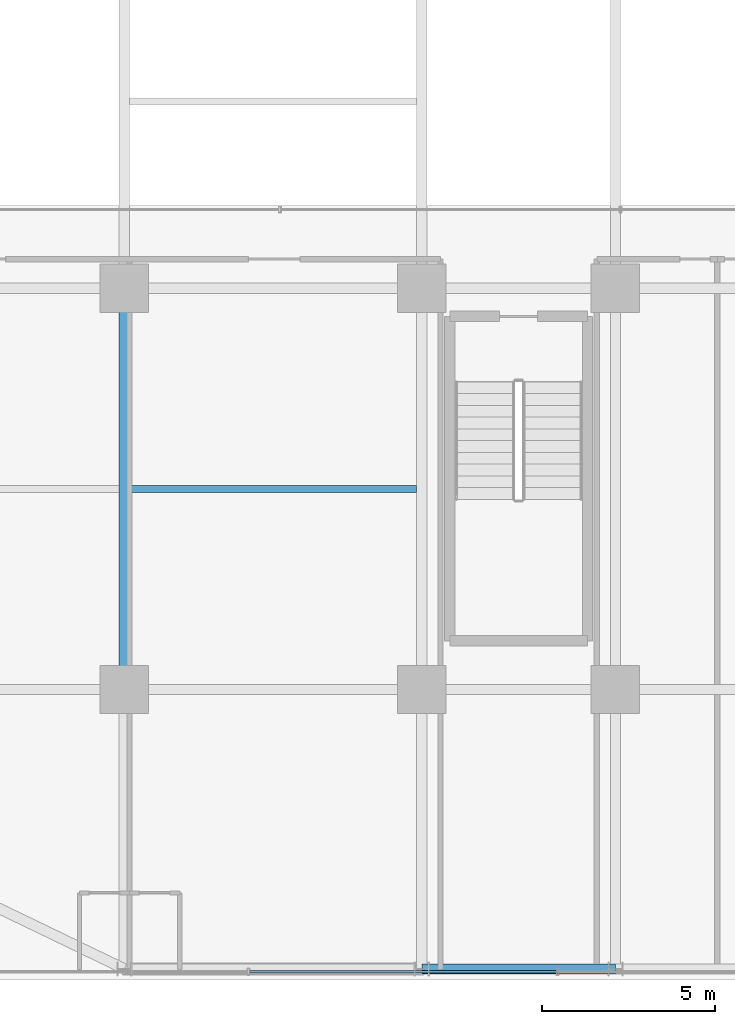
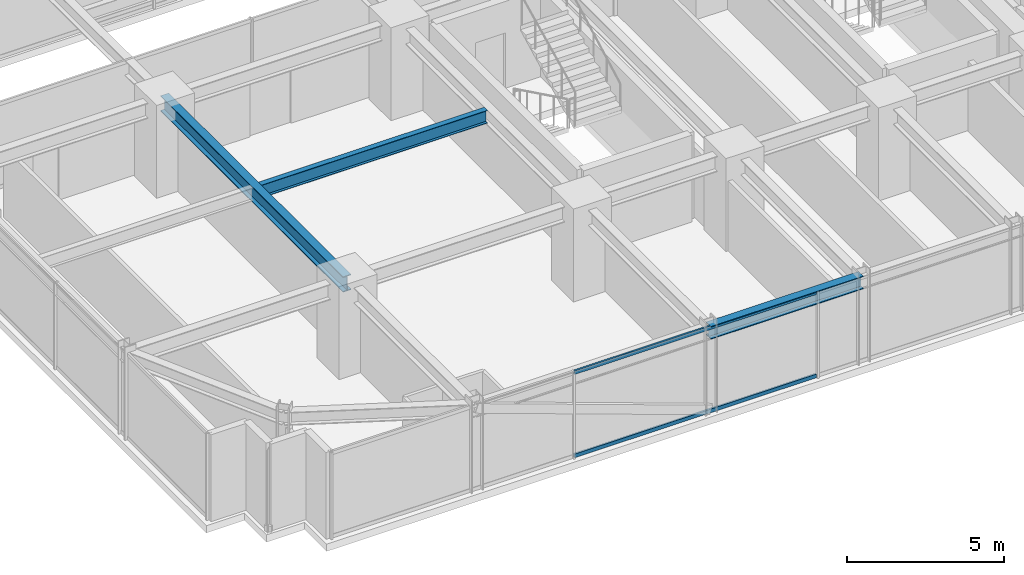
# One storey, part 6 of 47: 3 beams, 2 members, 1 element without a shape of its own.
"""IFC4 building model written with IfcOpenShell, lengths in metres."""

from ifc_helpers import new_model, si_unit, direction, frame, origin, origin_2d, place, context, subcontext, project, spatial, hollow_rectangle, i_section, extrude, source, transform, mapped, material, material_profile, profile_set, type_object, element, aggregate, save


model = new_model("IFC4")

# Units and contexts
model_context = context("Model", 3, precision=1e-05, world=origin(), true_north=direction((0.0, 1.0)))
body_context = subcontext(model_context, "Body", "Model", "MODEL_VIEW")
ifc_project = project(units=[si_unit("LENGTHUNIT", "METRE"), si_unit("AREAUNIT", "SQUARE_METRE"), si_unit("VOLUMEUNIT", "CUBIC_METRE"), si_unit("PLANEANGLEUNIT", "RADIAN"), si_unit("MASSUNIT", "GRAM", prefix="KILO")], contexts=[model_context])

# Site, building, storey
site_placement = place(None, origin())
site = spatial("IfcSite", under=ifc_project, at=site_placement, CompositionType="ELEMENT")
building_placement = place(site_placement, origin())
building = spatial("IfcBuilding", under=site, at=building_placement, Name="Nahalor Promenade Grand Hotel", CompositionType="ELEMENT")
storey_placement = place(building_placement, frame((0.0, 0.0, 68.89990234375)))
storey = spatial("IfcBuildingStorey", under=building, at=storey_placement, Name="L16", CompositionType="ELEMENT", Elevation=68.89990234375)

# Beams
ifc_material_1 = material(Name="Steel S355JR", Category="steel")
ifc_material_profile_1 = material_profile(ifc_material_1, i_section(OverallWidth=0.3, OverallDepth=0.6, WebThickness=0.0155, FlangeThickness=0.03, at=origin_2d()), Name="HEB 600")
ifc_profile_set_1 = profile_set([ifc_material_profile_1], Name="Steel S355JR")
beam_type_1 = type_object("IfcBeamType", Name="Beam-Girder-HEB600", PredefinedType="BEAM", material=ifc_profile_set_1)
shared_shape_1 = source(origin(), body_context, "Body", "SweptSolid", [
    extrude(i_section(OverallWidth=0.3, OverallDepth=0.6, WebThickness=0.0155, FlangeThickness=0.03, at=origin_2d()), origin(), (0.0, 0.0, 1.0), 11.60009765625),
])
beam_1_placement = place(storey_placement, frame((-17.0, -17.0, 3.070068359375), z_axis=(0.0, 1.0, 0.0), x_axis=(-1.0, 0.0, 0.0)))
element("IfcBeam", 1, at=beam_1_placement, inside=storey, type_object=beam_type_1, Name="BM-L16-GY-0-1", PredefinedType="BEAM", context=body_context, shape_type="MappedRepresentation", body=[
    mapped(shared_shape_1, transform((0.0, 0.0, 0.0), scale=1.0)),
])
ifc_material_profile_2 = material_profile(ifc_material_1, i_section(OverallWidth=0.3, OverallDepth=0.5, WebThickness=0.0145, FlangeThickness=0.028, at=origin_2d()), Name="HEB 500")
ifc_profile_set_2 = profile_set([ifc_material_profile_2], Name="Steel S355JR")
beam_type_2 = type_object("IfcBeamType", Name="Beam-Spandrel-HEB500", PredefinedType="SPANDREL", material=ifc_profile_set_2)
shared_shape_2 = source(origin(), body_context, "Body", "SweptSolid", [
    extrude(i_section(OverallWidth=0.3, OverallDepth=0.5, WebThickness=0.0145, FlangeThickness=0.028, at=origin_2d()), origin(), (0.0, 0.0, 1.0), 5.599853515625),
])
beam_2_placement = place(storey_placement, frame((-8.39990234375, -25.080078125, 3.1201171875), z_axis=(1.0, 0.0, 0.0), x_axis=(0.0, 1.0, 0.0)))
element("IfcBeam", 2, at=beam_2_placement, inside=storey, type_object=beam_type_2, Name="BM-L16-SP-S-1", PredefinedType="SPANDREL", context=body_context, shape_type="MappedRepresentation", body=[
    mapped(shared_shape_2, transform((0.0, 0.0, 0.0), scale=1.0)),
])
ifc_material_profile_3 = material_profile(ifc_material_1, i_section(OverallWidth=0.2, OverallDepth=0.5, WebThickness=0.0102, FlangeThickness=0.016, at=origin_2d()), Name="IPE 500")
ifc_profile_set_3 = profile_set([ifc_material_profile_3], Name="Steel S355JR")
beam_type_3 = type_object("IfcBeamType", Name="Beam-Joist-IPE500", PredefinedType="JOIST", material=ifc_profile_set_3)
shared_shape_3 = source(origin(), body_context, "Body", "SweptSolid", [
    extrude(i_section(OverallWidth=0.2, OverallDepth=0.5, WebThickness=0.0102, FlangeThickness=0.016, at=origin_2d()), origin(), (0.0, 0.0, 1.0), 8.300048828125),
])
beam_3_placement = place(storey_placement, frame((-16.85009765625, -11.199951171875, 3.1201171875), z_axis=(1.0, 0.0, 0.0), x_axis=(0.0, 1.0, 0.0)))
element("IfcBeam", 3, at=beam_3_placement, inside=storey, type_object=beam_type_3, Name="BM-L16-JSW-0-1", PredefinedType="JOIST", context=body_context, shape_type="MappedRepresentation", body=[
    mapped(shared_shape_3, transform((0.0, 0.0, 0.0), scale=1.0)),
])

# Curtain wall, members
ifc_material_2 = material(Name="Anodised Bronze Aluminium EN AW-6063 T6", Category="aluminium")
curtain_wall_type = type_object("IfcCurtainWallType", Name="CW3 Elliptical-Void Collar Unitised Curtain Wall", PredefinedType="USERDEFINED", material=ifc_material_2)
curtain_wall_placement = place(storey_placement, origin())
curtain_wall = element("IfcCurtainWall", 4, at=curtain_wall_placement, inside=storey, type_object=curtain_wall_type, Name="L16 Curtain Wall CW-L16-S-1", ObjectType="UNITISED_CURTAIN_WALL", PredefinedType="USERDEFINED")
ifc_material_profile_4 = material_profile(ifc_material_2, hollow_rectangle(XDim=0.07, YDim=0.14, WallThickness=0.004, at=origin_2d()), Name="CWT 70x140x4")
ifc_profile_set_4 = profile_set([ifc_material_profile_4], Name="Anodised Bronze Aluminium EN AW-6063 T6")
member_type = type_object("IfcMemberType", Name="CWT3 Void Collar Transom 70x140", PredefinedType="USERDEFINED", material=ifc_profile_set_4)
shared_shape_4 = source(origin(), body_context, "Body", "SweptSolid", [
    extrude(hollow_rectangle(XDim=0.07, YDim=0.14, WallThickness=0.004, at=origin_2d()), origin(), (0.0, 0.0, 1.0), 8.8740234375),
])
member_1_placement = place(storey_placement, frame((-13.381103515625, -25.159912109375, 0.070068359375), z_axis=(1.0, 0.0, 0.0), x_axis=(0.0, 1.0, 0.0)))
member_1 = element("IfcMember", 5, at=member_1_placement, type_object=member_type, Name="CW-L16-S-1 Transom 1-0", ObjectType="TRANSOM", PredefinedType="USERDEFINED", context=body_context, shape_type="MappedRepresentation", body=[
    mapped(shared_shape_4, transform((0.0, 0.0, 0.0), scale=1.0)),
])
member_2_placement = place(storey_placement, frame((-13.381103515625, -25.159912109375, 3.300048828125), z_axis=(1.0, 0.0, 0.0), x_axis=(0.0, 1.0, 0.0)))
member_2 = element("IfcMember", 6, at=member_2_placement, type_object=member_type, Name="CW-L16-S-1 Transom 1-1", ObjectType="TRANSOM", PredefinedType="USERDEFINED", context=body_context, shape_type="MappedRepresentation", body=[
    mapped(shared_shape_4, transform((0.0, 0.0, 0.0), scale=1.0)),
])
aggregate(curtain_wall, [member_1, member_2])

save(model, "model.ifc")
